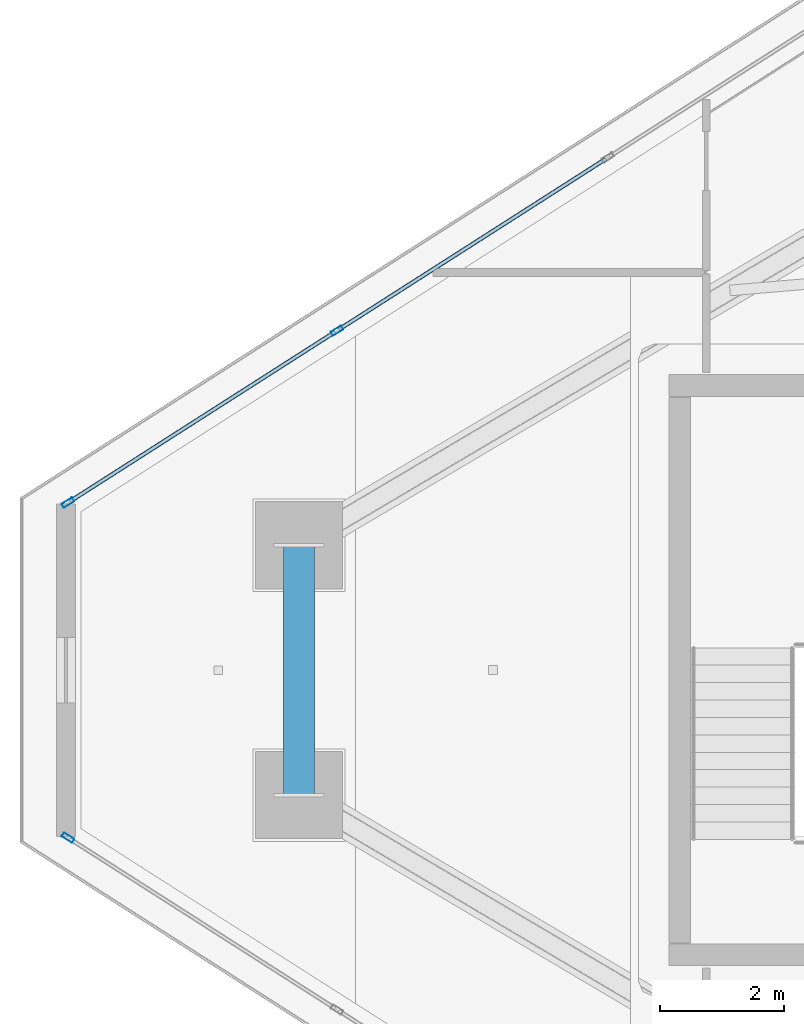
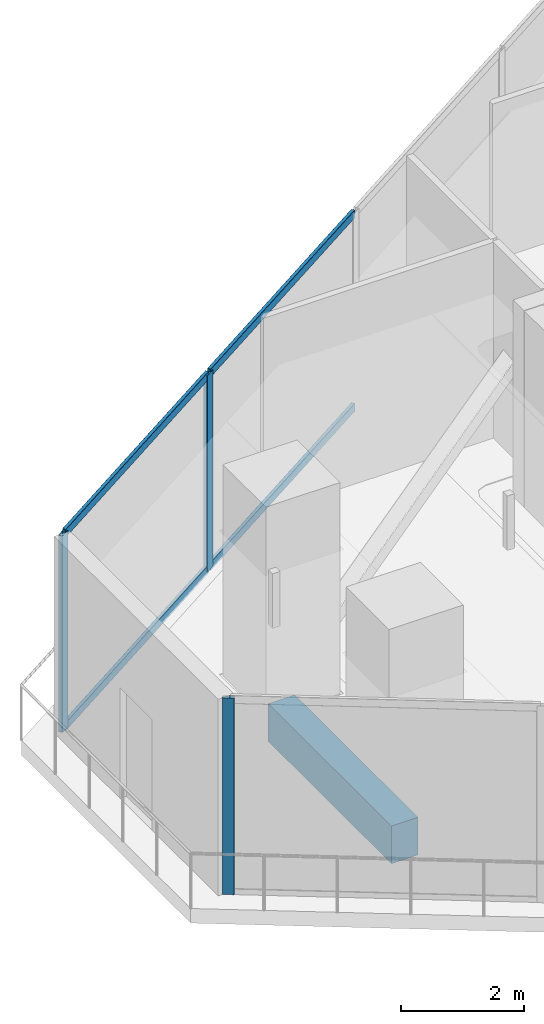
# One storey, part 6 of 25: 7 members, 1 beam, 2 elements without a shape of their own.
"""IFC4 building model written with IfcOpenShell, lengths in metres."""

from ifc_helpers import new_model, si_unit, direction, frame, origin, origin_2d, place, context, subcontext, project, spatial, rectangle, hollow_rectangle, extrude, material, layer, layer_set, material_profile, profile_set, type_object, element, aggregate, save


model = new_model("IFC4")

# Units and contexts
model_context = context("Model", 3, precision=1e-05, world=origin(), true_north=direction((0.0, 1.0)))
body_context = subcontext(model_context, "Body", "Model", "MODEL_VIEW")
ifc_project = project(units=[si_unit("LENGTHUNIT", "METRE"), si_unit("AREAUNIT", "SQUARE_METRE"), si_unit("VOLUMEUNIT", "CUBIC_METRE"), si_unit("PLANEANGLEUNIT", "RADIAN"), si_unit("MASSUNIT", "GRAM", prefix="KILO")], contexts=[model_context])

# Site, building, storey
site_placement = place(None, origin())
site = spatial("IfcSite", under=ifc_project, at=site_placement, CompositionType="ELEMENT")
building_placement = place(site_placement, origin())
building = spatial("IfcBuilding", under=site, at=building_placement, Name="Qorvath Tower", CompositionType="ELEMENT")
storey_placement = place(building_placement, frame((0.0, 0.0, 314.39990234375)))
storey = spatial("IfcBuildingStorey", under=building, at=storey_placement, Name="L73", CompositionType="ELEMENT", Elevation=314.39990234375)

# Beam
ifc_material_1 = material(Name="Concrete C45/55", Category="concrete")
ifc_material_profile_1 = material_profile(ifc_material_1, rectangle(XDim=0.5, YDim=0.75, at=origin_2d()), Name="RCB 750x500")
ifc_profile_set_1 = profile_set([ifc_material_profile_1], Name="Concrete C45/55")
beam_type = type_object("IfcBeamType", Name="BM-RCB3", PredefinedType="SPANDREL", material=ifc_profile_set_1)
beam_placement = place(storey_placement, frame((-44.402587890625, 2.007568359375, -0.664794921875), z_axis=(0.0, -1.0, 0.0), x_axis=(1.0, 0.0, 0.0)))
element("IfcBeam", 1, at=beam_placement, inside=storey, type_object=beam_type, Name="Perimeter Loggia Frame Beam MC1-MC2 L73", PredefinedType="SPANDREL", context=body_context, shape_type="SweptSolid", body=[
    extrude(rectangle(XDim=0.5, YDim=0.75, at=origin_2d()), origin(), (0.0, 0.0, 1.0), 4.01513671875),
])

# Curtain wall, member
ifc_material_2 = material(Name="Anodised aluminium and triple low-E glass", Category="aluminium")
ifc_layer = layer(ifc_material_2, 0.179931640625)
ifc_layer_set = layer_set([ifc_layer], Name="CW-SYS-4")
curtain_wall_type = type_object("IfcCurtainWallType", Name="CW-SYS-4", PredefinedType="NOTDEFINED", material=ifc_layer_set)
curtain_wall_1_placement = place(storey_placement, origin())
curtain_wall_1 = element("IfcCurtainWall", 2, at=curtain_wall_1_placement, inside=storey, type_object=curtain_wall_type, Name="Curtain Wall CW-4 CW-T-L73-2.1", PredefinedType="NOTDEFINED")
ifc_material_3 = material(Name="Anodised aluminium 6063-T6", Category="aluminium")
ifc_material_profile_2 = material_profile(ifc_material_3, hollow_rectangle(XDim=0.074951171875, YDim=0.199951171875, WallThickness=0.00390625, InnerFilletRadius=0.00390625, OuterFilletRadius=0.008056640625, at=origin_2d()), Name="CWM 200x75")
ifc_profile_set_2 = profile_set([ifc_material_profile_2], Name="Anodised aluminium 6063-T6")
member_type_1 = type_object("IfcMemberType", Name="CWM-200", PredefinedType="MULLION", material=ifc_profile_set_2)
member_1_placement = place(storey_placement, frame((-48.114990234375, -2.693115234375, 0.0), z_axis=(0.0, 0.0, 1.0), x_axis=(0.538529844016, 0.842606436662, 0.0)))
member_1 = element("IfcMember", 3, at=member_1_placement, type_object=member_type_1, Name="CW-4 mullion 1", PredefinedType="MULLION", context=body_context, shape_type="SweptSolid", body=[
    extrude(hollow_rectangle(XDim=0.074951171875, YDim=0.199951171875, WallThickness=0.00390625, InnerFilletRadius=0.00390625, OuterFilletRadius=0.008056640625, at=origin_2d()), origin(), (0.0, 0.0, 1.0), 3.91015625),
])
aggregate(curtain_wall_1, [member_1])

# Curtain wall, members
curtain_wall_2_placement = place(storey_placement, origin())
curtain_wall_2 = element("IfcCurtainWall", 4, at=curtain_wall_2_placement, inside=storey, type_object=curtain_wall_type, Name="Curtain Wall CW-4 CW-T-L73-16.2", PredefinedType="NOTDEFINED")
member_2_placement = place(storey_placement, frame((-43.79248046875, 5.455810546875, 0.0), z_axis=(0.0, 0.0, 1.0), x_axis=(0.538529844016, -0.842606436662, 0.0)))
member_2 = element("IfcMember", 5, at=member_2_placement, type_object=member_type_1, Name="CW-4 mullion 4", PredefinedType="MULLION", context=body_context, shape_type="SweptSolid", body=[
    extrude(hollow_rectangle(XDim=0.074951171875, YDim=0.199951171875, WallThickness=0.00390625, InnerFilletRadius=0.00390625, OuterFilletRadius=0.008056640625, at=origin_2d()), origin(), (0.0, 0.0, 1.0), 3.91015625),
])
member_3_placement = place(storey_placement, frame((-48.114990234375, 2.693115234375, 0.0), z_axis=(0.0, 0.0, 1.0), x_axis=(0.538529844016, -0.842606436662, 0.0)))
member_3 = element("IfcMember", 6, at=member_3_placement, type_object=member_type_1, Name="CW-4 mullion 5", PredefinedType="MULLION", context=body_context, shape_type="SweptSolid", body=[
    extrude(hollow_rectangle(XDim=0.074951171875, YDim=0.199951171875, WallThickness=0.00390625, InnerFilletRadius=0.00390625, OuterFilletRadius=0.008056640625, at=origin_2d()), origin(), (0.0, 0.0, 1.0), 3.91015625),
])
ifc_material_4 = material(Name="Anodised aluminium 6063-T6", Category="aluminium")
ifc_material_profile_3 = material_profile(ifc_material_4, hollow_rectangle(XDim=0.06494140625, YDim=0.159912109375, WallThickness=0.00341796875, InnerFilletRadius=0.00341796875, OuterFilletRadius=0.007080078125, at=origin_2d()), Name="CWT 160x65")
ifc_profile_set_3 = profile_set([ifc_material_profile_3], Name="Anodised aluminium 6063-T6")
member_type_2 = type_object("IfcMemberType", Name="CWT-160", PredefinedType="USERDEFINED", material=ifc_profile_set_3)
member_4_placement = place(storey_placement, frame((-39.469970703125, 8.21826171875, 0.032470703125), z_axis=(-0.842611663034, -0.538521666526, 0.0), x_axis=(0.538521666526, -0.842611663034, 0.0)))
member_4 = element("IfcMember", 7, at=member_4_placement, type_object=member_type_2, Name="CW-4 transom 3.1", ObjectType="TRANSOM", PredefinedType="USERDEFINED", context=body_context, shape_type="SweptSolid", body=[
    extrude(hollow_rectangle(XDim=0.06494140625, YDim=0.159912109375, WallThickness=0.00341796875, InnerFilletRadius=0.00341796875, OuterFilletRadius=0.007080078125, at=origin_2d()), origin(), (0.0, 0.0, 1.0), 5.092529296875),
])
member_5_placement = place(storey_placement, frame((-39.469970703125, 8.21826171875, 3.877685546875), z_axis=(-0.842611663034, -0.538521666526, 0.0), x_axis=(0.538521666526, -0.842611663034, 0.0)))
member_5 = element("IfcMember", 8, at=member_5_placement, type_object=member_type_2, Name="CW-4 transom 3.2", ObjectType="TRANSOM", PredefinedType="USERDEFINED", context=body_context, shape_type="SweptSolid", body=[
    extrude(hollow_rectangle(XDim=0.06494140625, YDim=0.159912109375, WallThickness=0.00341796875, InnerFilletRadius=0.00341796875, OuterFilletRadius=0.007080078125, at=origin_2d()), origin(), (0.0, 0.0, 1.0), 5.092529296875),
])
member_6_placement = place(storey_placement, frame((-43.82421875, 5.435546875, 0.032470703125), z_axis=(-0.842609815083, -0.53852455796, 0.0), x_axis=(0.53852455796, -0.842609815083, 0.0)))
member_6 = element("IfcMember", 9, at=member_6_placement, type_object=member_type_2, Name="CW-4 transom 4.1", ObjectType="TRANSOM", PredefinedType="USERDEFINED", context=body_context, shape_type="SweptSolid", body=[
    extrude(hollow_rectangle(XDim=0.06494140625, YDim=0.159912109375, WallThickness=0.00341796875, InnerFilletRadius=0.00341796875, OuterFilletRadius=0.007080078125, at=origin_2d()), origin(), (0.0, 0.0, 1.0), 5.054931640625),
])
member_7_placement = place(storey_placement, frame((-43.82421875, 5.435546875, 3.877685546875), z_axis=(-0.842609815083, -0.53852455796, 0.0), x_axis=(0.53852455796, -0.842609815083, 0.0)))
member_7 = element("IfcMember", 10, at=member_7_placement, type_object=member_type_2, Name="CW-4 transom 4.2", ObjectType="TRANSOM", PredefinedType="USERDEFINED", context=body_context, shape_type="SweptSolid", body=[
    extrude(hollow_rectangle(XDim=0.06494140625, YDim=0.159912109375, WallThickness=0.00341796875, InnerFilletRadius=0.00341796875, OuterFilletRadius=0.007080078125, at=origin_2d()), origin(), (0.0, 0.0, 1.0), 5.054931640625),
])
aggregate(curtain_wall_2, [member_2, member_3, member_4, member_5, member_6, member_7])

save(model, "model.ifc")
